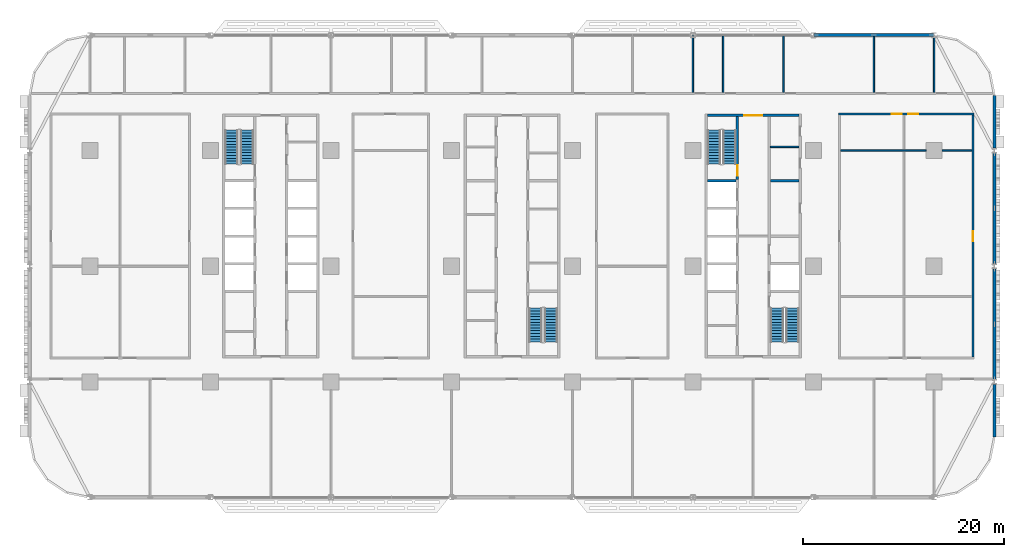
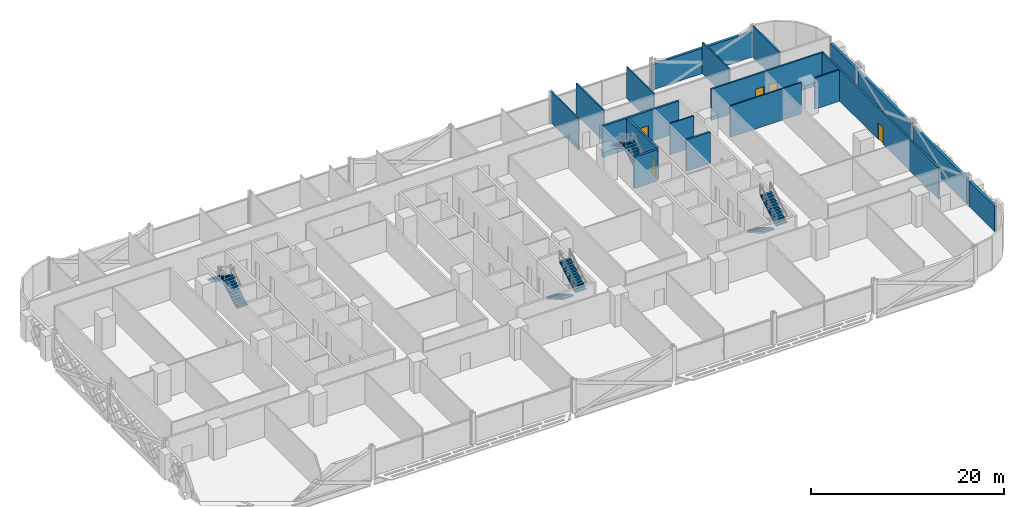
# One storey, part 15 of 28: 19 walls, 8 stair flights, 5 doors, 5 openings, 4 elements without a shape of their own.
"""IFC4 building model written with IfcOpenShell, lengths in metres."""

from ifc_helpers import new_model, si_unit, direction, frame, frame_2d, origin, place, context, subcontext, project, spatial, polyline, rectangle, outline, extrude, material, layer, layer_set, type_object, element, fill, aggregate, save


model = new_model("IFC4")

# Units and contexts
model_context = context("Model", 3, precision=1e-05, world=origin(), true_north=direction((0.0, 1.0)))
body_context = subcontext(model_context, "Body", "Model", "MODEL_VIEW")
ifc_project = project(units=[si_unit("LENGTHUNIT", "METRE"), si_unit("AREAUNIT", "SQUARE_METRE"), si_unit("VOLUMEUNIT", "CUBIC_METRE"), si_unit("PLANEANGLEUNIT", "RADIAN"), si_unit("MASSUNIT", "GRAM", prefix="KILO")], contexts=[model_context])

# Site, building, storey
site_placement = place(None, origin())
site = spatial("IfcSite", under=ifc_project, at=site_placement, CompositionType="ELEMENT")
building_placement = place(site_placement, origin())
building = spatial("IfcBuilding", under=site, at=building_placement, Name="Mahtab Terrace Research Tower", CompositionType="ELEMENT")
storey_placement = place(building_placement, frame((0.0, 0.0, 33.0)))
storey = spatial("IfcBuildingStorey", under=building, at=storey_placement, Name="L07", CompositionType="ELEMENT", Elevation=33.0)

# Wall
ifc_material_1 = material(Name="Gypsum board partition")
ifc_layer_1 = layer(ifc_material_1, 0.14990234375)
ifc_layer_set_1 = layer_set([ifc_layer_1], Name="Core partition 150")
wall_type_1 = type_object("IfcWallType", Name="Core partition 150", PredefinedType="PARTITIONING", material=ifc_layer_set_1)
wall_1_placement = place(storey_placement, frame((25.699951171875, 11.875, 0.0), z_axis=(0.0, 0.0, 1.0), x_axis=(1.0, 0.0, 0.0)))
element("IfcWall", 1, at=wall_1_placement, inside=storey, type_object=wall_type_1, Name="Core wall C pEN888", PredefinedType="PARTITIONING", context=body_context, shape_type="SweptSolid", body=[
    extrude(rectangle(XDim=2.85009765625, YDim=0.14990234375, at=frame_2d((1.425048828125, 0.0))), origin(), (0.0, 0.0, 1.0), 3.9599609375),
])

# Wall, opening, door
ifc_material_2 = material(Name="Concrete C70/85", Category="concrete")
ifc_layer_2 = layer(ifc_material_2, 0.25)
ifc_layer_set_2 = layer_set([ifc_layer_2], Name="Core wall 250")
wall_type_2 = type_object("IfcWallType", Name="Core wall 250", PredefinedType="SOLIDWALL", material=ifc_layer_set_2)
wall_2_placement = place(storey_placement, frame((19.449951171875, 15.0, 0.0), z_axis=(0.0, 0.0, 1.0), x_axis=(1.0, 0.0, 0.0)))
wall_2 = element("IfcWall", 2, at=wall_2_placement, inside=storey, type_object=wall_type_2, Name="Core wall C endN", PredefinedType="SOLIDWALL", context=body_context, shape_type="SweptSolid", body=[
    extrude(rectangle(XDim=9.10009765625, YDim=0.25, at=frame_2d((4.550048828125, 0.0))), origin(), (0.0, 0.0, 1.0), 3.9599609375),
])
opening_1_placement = place(wall_2_placement, frame((3.64990234375, 0.0, 0.0)))
opening_1 = element("IfcOpeningElement", 3, at=opening_1_placement, cuts=wall_2, Name="Opening C-N1", PredefinedType="OPENING", context=body_context, shape_type="SweptSolid", body=[
    extrude(rectangle(XDim=1.800048828125, YDim=2.10009765625, at=frame_2d((0.89990234375, 1.050048828125))), frame((0.0, 0.135009765625, 0.0), z_axis=(0.0, -1.0, 0.0), x_axis=(1.0, 0.0, 0.0)), (0.0, 0.0, 1.0), 0.27001953125),
])
ifc_material_3 = material(Name="Steel fire door", Category="steel")
door_type_1 = type_object("IfcDoorType", Name="Lobby double door 1800x2100 1 HR", OperationType="DOUBLE_DOOR_SINGLE_SWING", PredefinedType="DOOR", material=ifc_material_3)
door_1_placement = place(opening_1_placement, origin())
door_1 = element("IfcDoor", 4, at=door_1_placement, inside=storey, type_object=door_type_1, Name="Core entrance door C N", OperationType="DOUBLE_DOOR_SINGLE_SWING", OverallHeight=2.10009765625, OverallWidth=1.800048828125, PredefinedType="DOOR", context=body_context, shape_type="SweptSolid", body=[
    extrude(rectangle(XDim=1.800048828125, YDim=2.10009765625, at=frame_2d((0.89990234375, 1.050048828125))), frame((0.0, 0.02490234375, 0.0), z_axis=(0.0, -1.0, 0.0), x_axis=(1.0, 0.0, 0.0)), (0.0, 0.0, 1.0), 0.050048828125),
])
fill(opening_1, door_1)

wall_3_placement = place(storey_placement, frame((22.425048828125, 14.875, 0.0), z_axis=(0.0, 0.0, 1.0), x_axis=(0.0, -1.0, 0.0)))
wall_3 = element("IfcWall", 5, at=wall_3_placement, inside=storey, type_object=wall_type_2, Name="Core wall C innerWN", PredefinedType="SOLIDWALL", context=body_context, shape_type="SweptSolid", body=[
    extrude(rectangle(XDim=6.25, YDim=0.25, at=frame_2d((3.125, 0.0))), origin(), (0.0, 0.0, 1.0), 3.9599609375),
])
opening_2_placement = place(wall_3_placement, frame((4.85009765625, 0.0, 0.0)))
opening_2 = element("IfcOpeningElement", 6, at=opening_2_placement, cuts=wall_3, Name="Opening C-ST3", PredefinedType="OPENING", context=body_context, shape_type="SweptSolid", body=[
    extrude(rectangle(XDim=1.0, YDim=2.10009765625, at=frame_2d((0.5, 1.050048828125))), frame((0.0, 0.135009765625, 0.0), z_axis=(0.0, -1.0, 0.0), x_axis=(1.0, 0.0, 0.0)), (0.0, 0.0, 1.0), 0.27001953125),
])
door_type_2 = type_object("IfcDoorType", Name="Stair door 1000x2100 1.5 HR", OperationType="NOTDEFINED", PredefinedType="DOOR", material=ifc_material_3)
door_2_placement = place(opening_2_placement, origin())
door_2 = element("IfcDoor", 7, at=door_2_placement, inside=storey, type_object=door_type_2, Name="Stair door ST3 L07", OperationType="SINGLE_SWING_LEFT", OverallHeight=2.10009765625, OverallWidth=1.0, PredefinedType="DOOR", context=body_context, shape_type="SweptSolid", body=[
    extrude(rectangle(XDim=1.0, YDim=2.10009765625, at=frame_2d((0.5, 1.050048828125))), frame((0.0, 0.02490234375, 0.0), z_axis=(0.0, -1.0, 0.0), x_axis=(1.0, 0.0, 0.0)), (0.0, 0.0, 1.0), 0.050048828125),
])
fill(opening_2, door_2)

# Walls
for number, where, z_axis, x_axis, name in (
    (8, (19.449951171875, 8.5, 0.0), (0.0, 0.0, 1.0), (1.0, 0.0, 0.0), "Core wall C divW4"),
    (9, (25.699951171875, 8.5, 0.0), (0.0, 0.0, 1.0), (1.0, 0.0, 0.0), "Core wall C divE4"),
):
    element("IfcWall", number, at=place(storey_placement, frame(where, z_axis=z_axis, x_axis=x_axis)), inside=storey, type_object=wall_type_2, Name=name, PredefinedType="SOLIDWALL", context=body_context, shape_type="SweptSolid", body=[
        extrude(rectangle(XDim=2.85009765625, YDim=0.25, at=frame_2d((1.425048828125, 0.0))), origin(), (0.0, 0.0, 1.0), 3.9599609375),
    ])
ifc_material_4 = material(Name="Black aluminium cladding panel", Category="aluminium")
ifc_layer_3 = layer(ifc_material_4, 0.300048828125)
ifc_layer_set_3 = layer_set([ifc_layer_3], Name="Opaque facade wall 300")
wall_type_3 = type_object("IfcWallType", Name="Opaque facade wall 300", PredefinedType="NOTDEFINED", material=ifc_layer_set_3)
wall_4_placement = place(storey_placement, frame((41.97216796875, 23.0, 0.0), z_axis=(0.0, 0.0, 1.0), x_axis=(-1.0, 0.0, 0.0)))
element("IfcWall", 10, at=wall_4_placement, inside=storey, type_object=wall_type_3, Name="Opaque facade wall L07 N3", PredefinedType="NOTDEFINED", context=body_context, shape_type="SweptSolid", body=[
    extrude(rectangle(XDim=11.9443359375, YDim=0.300048828125, at=frame_2d((5.97216796875, 0.0))), origin(), (0.0, 0.0, 1.0), 3.203125),
])
wall_5_placement = place(storey_placement, frame((48.0, -17.0, 0.0), z_axis=(0.0, 0.0, 1.0), x_axis=(0.0, 1.0, 0.0)))
element("IfcWall", 11, at=wall_5_placement, inside=storey, type_object=wall_type_3, Name="Opaque facade wall L07 E33", PredefinedType="NOTDEFINED", context=body_context, shape_type="SweptSolid", body=[
    extrude(rectangle(XDim=5.2509765625, YDim=0.300048828125, at=frame_2d((2.62548828125, 0.0))), origin(), (0.0, 0.0, 1.0), 3.203125),
])
for number, where, z_axis, x_axis, name in (
    (12, (48.0, -11.2509765625, 0.0), (0.0, 0.0, 1.0), (0.0, 1.0, 0.0), "Opaque facade wall L07 E34"),
    (13, (48.0, 0.2490234375, 0.0), (0.0, 0.0, 1.0), (0.0, 1.0, 0.0), "Opaque facade wall L07 E35"),
):
    element("IfcWall", number, at=place(storey_placement, frame(where, z_axis=z_axis, x_axis=x_axis)), inside=storey, type_object=wall_type_3, Name=name, PredefinedType="NOTDEFINED", context=body_context, shape_type="SweptSolid", body=[
        extrude(rectangle(XDim=11.001953125, YDim=0.300048828125, at=frame_2d((5.5009765625, 0.0))), origin(), (0.0, 0.0, 1.0), 3.203125),
    ])
wall_6_placement = place(storey_placement, frame((48.0, 11.7490234375, 0.0), z_axis=(0.0, 0.0, 1.0), x_axis=(0.0, 1.0, 0.0)))
element("IfcWall", 14, at=wall_6_placement, inside=storey, type_object=wall_type_3, Name="Opaque facade wall L07 E36", PredefinedType="NOTDEFINED", context=body_context, shape_type="SweptSolid", body=[
    extrude(rectangle(XDim=5.2509765625, YDim=0.300048828125, at=frame_2d((2.62548828125, 0.0))), origin(), (0.0, 0.0, 1.0), 3.203125),
])

# Wall, openings, doors
ifc_material_5 = material(Name="Gypsum board corridor wall on steel studs", Category="steel")
ifc_layer_4 = layer(ifc_material_5, 0.199951171875)
ifc_layer_set_4 = layer_set([ifc_layer_4], Name="WALL CORRIDOR 200")
wall_type_4 = type_object("IfcWallType", Name="WALL CORRIDOR 200", PredefinedType="PARTITIONING", material=ifc_layer_set_4)
wall_7_placement = place(storey_placement, frame((32.5, 15.125, 0.0), z_axis=(0.0, 0.0, 1.0), x_axis=(1.0, 0.0, 0.0)))
wall_7 = element("IfcWall", 15, at=wall_7_placement, inside=storey, type_object=wall_type_4, Name="L07-W025", PredefinedType="PARTITIONING", context=body_context, shape_type="SweptSolid", body=[
    extrude(rectangle(XDim=13.449951171875, YDim=0.199951171875, at=frame_2d((6.72509765625, 0.0))), origin(), (0.0, 0.0, 1.0), 3.9599609375),
])
opening_3_placement = place(wall_7_placement, frame((5.300048828125, 0.0, 0.0)))
opening_3 = element("IfcOpeningElement", 16, at=opening_3_placement, cuts=wall_7, Name="Opening L07-124", PredefinedType="OPENING", context=body_context, shape_type="SweptSolid", body=[
    extrude(rectangle(XDim=1.0, YDim=2.10009765625, at=frame_2d((0.5, 1.050048828125))), frame((0.0, 0.10986328125, 0.0), z_axis=(0.0, -1.0, 0.0), x_axis=(1.0, 0.0, 0.0)), (0.0, 0.0, 1.0), 0.219970703125),
])
opening_4_placement = place(wall_7_placement, frame((6.89990234375, 0.0, 0.0)))
opening_4 = element("IfcOpeningElement", 17, at=opening_4_placement, cuts=wall_7, Name="Opening L07-125", PredefinedType="OPENING", context=body_context, shape_type="SweptSolid", body=[
    extrude(rectangle(XDim=1.0, YDim=2.10009765625, at=frame_2d((0.5, 1.050048828125))), frame((0.0, 0.10986328125, 0.0), z_axis=(0.0, -1.0, 0.0), x_axis=(1.0, 0.0, 0.0)), (0.0, 0.0, 1.0), 0.219970703125),
])
ifc_material_6 = material(Name="Timber door leaf in steel frame", Category="steel")
door_type_3 = type_object("IfcDoorType", Name="DOOR 1000X2100 FD30S", OperationType="SINGLE_SWING_LEFT", PredefinedType="DOOR", material=ifc_material_6)
door_3_placement = place(opening_3_placement, origin())
door_3 = element("IfcDoor", 18, at=door_3_placement, inside=storey, type_object=door_type_3, Name="Door L07-124", OperationType="SINGLE_SWING_RIGHT", OverallHeight=2.10009765625, OverallWidth=1.0, PredefinedType="DOOR", context=body_context, shape_type="SweptSolid", body=[
    extrude(rectangle(XDim=1.0, YDim=2.10009765625, at=frame_2d((0.5, 1.050048828125))), frame((0.0, 0.02490234375, 0.0), z_axis=(0.0, -1.0, 0.0), x_axis=(1.0, 0.0, 0.0)), (0.0, 0.0, 1.0), 0.050048828125),
])
fill(opening_3, door_3)
door_4_placement = place(opening_4_placement, origin())
door_4 = element("IfcDoor", 19, at=door_4_placement, inside=storey, type_object=door_type_3, Name="Door L07-125", OperationType="SINGLE_SWING_LEFT", OverallHeight=2.10009765625, OverallWidth=1.0, PredefinedType="DOOR", context=body_context, shape_type="SweptSolid", body=[
    extrude(rectangle(XDim=1.0, YDim=2.10009765625, at=frame_2d((0.5, 1.050048828125))), frame((0.0, 0.02490234375, 0.0), z_axis=(0.0, -1.0, 0.0), x_axis=(1.0, 0.0, 0.0)), (0.0, 0.0, 1.0), 0.050048828125),
])
fill(opening_4, door_4)

# Wall, opening, door
wall_8_placement = place(storey_placement, frame((45.85009765625, -9.02490234375, 0.0), z_axis=(0.0, 0.0, 1.0), x_axis=(0.0, 1.0, 0.0)))
wall_8 = element("IfcWall", 20, at=wall_8_placement, inside=storey, type_object=wall_type_4, Name="L07-W060", PredefinedType="PARTITIONING", context=body_context, shape_type="SweptSolid", body=[
    extrude(rectangle(XDim=24.0498046875, YDim=0.199951171875, at=frame_2d((12.02490234375, 0.0))), origin(), (0.0, 0.0, 1.0), 3.9599609375),
])
opening_5_placement = place(wall_8_placement, frame((11.5, 0.0, 0.0)))
opening_5 = element("IfcOpeningElement", 21, at=opening_5_placement, cuts=wall_8, Name="Opening L07-119", PredefinedType="OPENING", context=body_context, shape_type="SweptSolid", body=[
    extrude(rectangle(XDim=1.0, YDim=2.10009765625, at=frame_2d((0.5, 1.050048828125))), frame((0.0, 0.10986328125, 0.0), z_axis=(0.0, -1.0, 0.0), x_axis=(1.0, 0.0, 0.0)), (0.0, 0.0, 1.0), 0.219970703125),
])
door_5_placement = place(opening_5_placement, origin())
door_5 = element("IfcDoor", 22, at=door_5_placement, inside=storey, type_object=door_type_3, Name="Door L07-119", OperationType="SINGLE_SWING_LEFT", OverallHeight=2.10009765625, OverallWidth=1.0, PredefinedType="DOOR", context=body_context, shape_type="SweptSolid", body=[
    extrude(rectangle(XDim=1.0, YDim=2.10009765625, at=frame_2d((0.5, 1.050048828125))), frame((0.0, 0.02490234375, 0.0), z_axis=(0.0, -1.0, 0.0), x_axis=(1.0, 0.0, 0.0)), (0.0, 0.0, 1.0), 0.050048828125),
])
fill(opening_5, door_5)

# Walls
ifc_material_7 = material(Name="Gypsum board partition on steel studs", Category="steel")
ifc_layer_5 = layer(ifc_material_7, 0.14990234375)
ifc_layer_set_5 = layer_set([ifc_layer_5], Name="WALL PARTITION 150")
wall_type_5 = type_object("IfcWallType", Name="WALL PARTITION 150", PredefinedType="PARTITIONING", material=ifc_layer_set_5)
wall_9_placement = place(storey_placement, frame((32.699951171875, 11.5, 0.0), z_axis=(0.0, 0.0, 1.0), x_axis=(1.0, 0.0, 0.0)))
element("IfcWall", 23, at=wall_9_placement, inside=storey, type_object=wall_type_5, Name="L07-W020", PredefinedType="PARTITIONING", context=body_context, shape_type="SweptSolid", body=[
    extrude(rectangle(XDim=8.5, YDim=0.14990234375, at=frame_2d((4.25, 0.0))), origin(), (0.0, 0.0, 1.0), 3.9599609375),
])
wall_10_placement = place(storey_placement, frame((42.800048828125, 11.5, 0.0), z_axis=(0.0, 0.0, 1.0), x_axis=(1.0, 0.0, 0.0)))
element("IfcWall", 24, at=wall_10_placement, inside=storey, type_object=wall_type_5, Name="L07-W021", PredefinedType="PARTITIONING", context=body_context, shape_type="SweptSolid", body=[
    extrude(rectangle(XDim=2.949951171875, YDim=0.14990234375, at=frame_2d((1.47509765625, 0.0))), origin(), (0.0, 0.0, 1.0), 3.9599609375),
])
for number, where, z_axis, x_axis, name in (
    (25, (18.0, 17.300048828125, 0.0), (0.0, 0.0, 1.0), (0.0, 1.0, 0.0), "L07-W050"),
    (26, (21.0, 17.300048828125, 0.0), (0.0, 0.0, 1.0), (0.0, 1.0, 0.0), "L07-W051"),
    (27, (27.0, 17.300048828125, 0.0), (0.0, 0.0, 1.0), (0.0, 1.0, 0.0), "L07-W053"),
):
    element("IfcWall", number, at=place(storey_placement, frame(where, z_axis=z_axis, x_axis=x_axis)), inside=storey, type_object=wall_type_5, Name=name, PredefinedType="PARTITIONING", context=body_context, shape_type="SweptSolid", body=[
        extrude(rectangle(XDim=5.675048828125, YDim=0.14990234375, at=frame_2d((2.83740234375, 0.0))), origin(), (0.0, 0.0, 1.0), 3.9599609375),
    ])
wall_11_placement = place(storey_placement, frame((36.0, 17.300048828125, 0.0), z_axis=(0.0, 0.0, 1.0), x_axis=(0.0, 1.0, 0.0)))
element("IfcWall", 28, at=wall_11_placement, inside=storey, type_object=wall_type_5, Name="L07-W056", PredefinedType="PARTITIONING", context=body_context, shape_type="SweptSolid", body=[
    extrude(rectangle(XDim=5.550048828125, YDim=0.14990234375, at=frame_2d((2.77490234375, 0.0))), origin(), (0.0, 0.0, 1.0), 3.9599609375),
])
wall_12_placement = place(storey_placement, frame((42.0, 17.300048828125, 0.0), z_axis=(0.0, 0.0, 1.0), x_axis=(0.0, 1.0, 0.0)))
element("IfcWall", 29, at=wall_12_placement, inside=storey, type_object=wall_type_5, Name="L07-W059", PredefinedType="PARTITIONING", context=body_context, shape_type="SweptSolid", body=[
    extrude(rectangle(XDim=5.547119140625, YDim=0.14990234375, at=frame_2d((2.7734375, 0.0))), origin(), (0.0, 0.0, 1.0), 3.9599609375),
])

# Stair, stair flights
ifc_material_8 = material(Name="Exit stair half-turn")
stair_type = type_object("IfcStairType", Name="Exit stair half-turn", PredefinedType="HALF_TURN_STAIR", material=ifc_material_8)
stair_1_placement = place(storey_placement, origin())
stair_1 = element("IfcStair", 30, at=stair_1_placement, inside=storey, type_object=stair_type, Name="L07 Protected exit stair ST1", PredefinedType="HALF_TURN_STAIR")
ifc_material_9 = material(Name="Concrete C40/50", Category="concrete")
stair_flight_type = type_object("IfcStairFlightType", Name="Exit stair flight 1300", PredefinedType="STRAIGHT", material=ifc_material_9)
stair_flight_1_placement = place(storey_placement, frame((-26.35009765625, 10.175048828125, 0.0), z_axis=(0.0, 0.0, 1.0), x_axis=(0.0, 1.0, 0.0)))
stair_flight_1 = element("IfcStairFlight", 31, at=stair_flight_1_placement, type_object=stair_flight_type, Name="ST1 flight 1", NumberOfRisers=13, NumberOfTreads=12, PredefinedType="STRAIGHT", RiserHeight=0.165384615, TreadLength=0.28, context=body_context, shape_type="SweptSolid", body=[
    extrude(outline(polyline([(0.0, 0.0), (0.0, 0.165283203125), (0.280029296875, 0.165283203125), (0.280029296875, 0.330810546875), (0.56005859375, 0.330810546875), (0.56005859375, 0.49609375), (0.840087890625, 0.49609375), (0.840087890625, 0.66162109375), (1.1201171875, 0.66162109375), (1.1201171875, 0.826904296875), (1.39990234375, 0.826904296875), (1.39990234375, 0.9921875), (1.679931640625, 0.9921875), (1.679931640625, 1.15771484375), (1.9599609375, 1.15771484375), (1.9599609375, 1.322998046875), (2.239990234375, 1.322998046875), (2.239990234375, 1.488525390625), (2.52001953125, 1.488525390625), (2.52001953125, 1.65380859375), (2.800048828125, 1.65380859375), (2.800048828125, 1.8193359375), (3.080078125, 1.8193359375), (3.080078125, 1.984619140625), (3.360107421875, 1.984619140625), (3.360107421875, 2.14990234375), (3.360107421875, 1.810546875), (0.294677734375, 0.0), (0.0, 0.0)])), frame((0.0, 0.64990234375, 0.0), z_axis=(0.0, -1.0, 0.0), x_axis=(1.0, 0.0, 0.0)), (0.0, 0.0, 1.0), 1.300048828125),
])
stair_flight_2_placement = place(storey_placement, frame((-27.89990234375, 13.534912109375, 2.14990234375), z_axis=(0.0, 0.0, 1.0), x_axis=(0.0, -1.0, 0.0)))
stair_flight_2 = element("IfcStairFlight", 32, at=stair_flight_2_placement, type_object=stair_flight_type, Name="ST1 flight 2", NumberOfRisers=13, NumberOfTreads=12, PredefinedType="STRAIGHT", RiserHeight=0.165384615, TreadLength=0.28, context=body_context, shape_type="SweptSolid", body=[
    extrude(outline(polyline([(0.0, 0.0), (0.0, 0.165283203125), (0.280029296875, 0.165283203125), (0.280029296875, 0.330810546875), (0.56005859375, 0.330810546875), (0.56005859375, 0.49609375), (0.840087890625, 0.49609375), (0.840087890625, 0.66162109375), (1.1201171875, 0.66162109375), (1.1201171875, 0.826904296875), (1.39990234375, 0.826904296875), (1.39990234375, 0.9921875), (1.679931640625, 0.9921875), (1.679931640625, 1.15771484375), (1.9599609375, 1.15771484375), (1.9599609375, 1.322998046875), (2.239990234375, 1.322998046875), (2.239990234375, 1.488525390625), (2.52001953125, 1.488525390625), (2.52001953125, 1.65380859375), (2.800048828125, 1.65380859375), (2.800048828125, 1.8193359375), (3.080078125, 1.8193359375), (3.080078125, 1.984619140625), (3.360107421875, 1.984619140625), (3.360107421875, 2.14990234375), (3.360107421875, 1.810546875), (0.294677734375, 0.0), (0.0, 0.0)])), frame((0.0, 0.64990234375, 0.0), z_axis=(0.0, -1.0, 0.0), x_axis=(1.0, 0.0, 0.0)), (0.0, 0.0, 1.0), 1.300048828125),
])
aggregate(stair_1, [stair_flight_1, stair_flight_2])

stair_2_placement = place(storey_placement, origin())
stair_2 = element("IfcStair", 33, at=stair_2_placement, inside=storey, type_object=stair_type, Name="L07 Protected exit stair ST2", PredefinedType="HALF_TURN_STAIR")
stair_flight_3_placement = place(storey_placement, frame((2.35009765625, -4.175048828125, 0.0), z_axis=(0.0, 0.0, 1.0), x_axis=(0.0, -1.0, 0.0)))
stair_flight_3 = element("IfcStairFlight", 34, at=stair_flight_3_placement, type_object=stair_flight_type, Name="ST2 flight 1", NumberOfRisers=13, NumberOfTreads=12, PredefinedType="STRAIGHT", RiserHeight=0.165384615, TreadLength=0.28, context=body_context, shape_type="SweptSolid", body=[
    extrude(outline(polyline([(0.0, 0.0), (0.0, 0.165283203125), (0.280029296875, 0.165283203125), (0.280029296875, 0.330810546875), (0.56005859375, 0.330810546875), (0.56005859375, 0.49609375), (0.840087890625, 0.49609375), (0.840087890625, 0.66162109375), (1.1201171875, 0.66162109375), (1.1201171875, 0.826904296875), (1.39990234375, 0.826904296875), (1.39990234375, 0.9921875), (1.679931640625, 0.9921875), (1.679931640625, 1.15771484375), (1.9599609375, 1.15771484375), (1.9599609375, 1.322998046875), (2.239990234375, 1.322998046875), (2.239990234375, 1.488525390625), (2.52001953125, 1.488525390625), (2.52001953125, 1.65380859375), (2.800048828125, 1.65380859375), (2.800048828125, 1.8193359375), (3.080078125, 1.8193359375), (3.080078125, 1.984619140625), (3.360107421875, 1.984619140625), (3.360107421875, 2.14990234375), (3.360107421875, 1.810546875), (0.294677734375, 0.0), (0.0, 0.0)])), frame((0.0, 0.64990234375, 0.0), z_axis=(0.0, -1.0, 0.0), x_axis=(1.0, 0.0, 0.0)), (0.0, 0.0, 1.0), 1.300048828125),
])
stair_flight_4_placement = place(storey_placement, frame((3.89990234375, -7.534912109375, 2.14990234375), z_axis=(0.0, 0.0, 1.0), x_axis=(0.0, 1.0, 0.0)))
stair_flight_4 = element("IfcStairFlight", 35, at=stair_flight_4_placement, type_object=stair_flight_type, Name="ST2 flight 2", NumberOfRisers=13, NumberOfTreads=12, PredefinedType="STRAIGHT", RiserHeight=0.165384615, TreadLength=0.28, context=body_context, shape_type="SweptSolid", body=[
    extrude(outline(polyline([(0.0, 0.0), (0.0, 0.165283203125), (0.280029296875, 0.165283203125), (0.280029296875, 0.330810546875), (0.56005859375, 0.330810546875), (0.56005859375, 0.49609375), (0.840087890625, 0.49609375), (0.840087890625, 0.66162109375), (1.1201171875, 0.66162109375), (1.1201171875, 0.826904296875), (1.39990234375, 0.826904296875), (1.39990234375, 0.9921875), (1.679931640625, 0.9921875), (1.679931640625, 1.15771484375), (1.9599609375, 1.15771484375), (1.9599609375, 1.322998046875), (2.239990234375, 1.322998046875), (2.239990234375, 1.488525390625), (2.52001953125, 1.488525390625), (2.52001953125, 1.65380859375), (2.800048828125, 1.65380859375), (2.800048828125, 1.8193359375), (3.080078125, 1.8193359375), (3.080078125, 1.984619140625), (3.360107421875, 1.984619140625), (3.360107421875, 2.14990234375), (3.360107421875, 1.810546875), (0.294677734375, 0.0), (0.0, 0.0)])), frame((0.0, 0.64990234375, 0.0), z_axis=(0.0, -1.0, 0.0), x_axis=(1.0, 0.0, 0.0)), (0.0, 0.0, 1.0), 1.300048828125),
])
aggregate(stair_2, [stair_flight_3, stair_flight_4])

stair_3_placement = place(storey_placement, origin())
stair_3 = element("IfcStair", 36, at=stair_3_placement, inside=storey, type_object=stair_type, Name="L07 Protected exit stair ST3", PredefinedType="HALF_TURN_STAIR")
stair_flight_5_placement = place(storey_placement, frame((21.64990234375, 10.175048828125, 0.0), z_axis=(0.0, 0.0, 1.0), x_axis=(0.0, 1.0, 0.0)))
stair_flight_5 = element("IfcStairFlight", 37, at=stair_flight_5_placement, type_object=stair_flight_type, Name="ST3 flight 1", NumberOfRisers=13, NumberOfTreads=12, PredefinedType="STRAIGHT", RiserHeight=0.165384615, TreadLength=0.28, context=body_context, shape_type="SweptSolid", body=[
    extrude(outline(polyline([(0.0, 0.0), (0.0, 0.165283203125), (0.280029296875, 0.165283203125), (0.280029296875, 0.330810546875), (0.56005859375, 0.330810546875), (0.56005859375, 0.49609375), (0.840087890625, 0.49609375), (0.840087890625, 0.66162109375), (1.1201171875, 0.66162109375), (1.1201171875, 0.826904296875), (1.39990234375, 0.826904296875), (1.39990234375, 0.9921875), (1.679931640625, 0.9921875), (1.679931640625, 1.15771484375), (1.9599609375, 1.15771484375), (1.9599609375, 1.322998046875), (2.239990234375, 1.322998046875), (2.239990234375, 1.488525390625), (2.52001953125, 1.488525390625), (2.52001953125, 1.65380859375), (2.800048828125, 1.65380859375), (2.800048828125, 1.8193359375), (3.080078125, 1.8193359375), (3.080078125, 1.984619140625), (3.360107421875, 1.984619140625), (3.360107421875, 2.14990234375), (3.360107421875, 1.810546875), (0.294677734375, 0.0), (0.0, 0.0)])), frame((0.0, 0.64990234375, 0.0), z_axis=(0.0, -1.0, 0.0), x_axis=(1.0, 0.0, 0.0)), (0.0, 0.0, 1.0), 1.300048828125),
])
stair_flight_6_placement = place(storey_placement, frame((20.10009765625, 13.534912109375, 2.14990234375), z_axis=(0.0, 0.0, 1.0), x_axis=(0.0, -1.0, 0.0)))
stair_flight_6 = element("IfcStairFlight", 38, at=stair_flight_6_placement, type_object=stair_flight_type, Name="ST3 flight 2", NumberOfRisers=13, NumberOfTreads=12, PredefinedType="STRAIGHT", RiserHeight=0.165384615, TreadLength=0.28, context=body_context, shape_type="SweptSolid", body=[
    extrude(outline(polyline([(0.0, 0.0), (0.0, 0.165283203125), (0.280029296875, 0.165283203125), (0.280029296875, 0.330810546875), (0.56005859375, 0.330810546875), (0.56005859375, 0.49609375), (0.840087890625, 0.49609375), (0.840087890625, 0.66162109375), (1.1201171875, 0.66162109375), (1.1201171875, 0.826904296875), (1.39990234375, 0.826904296875), (1.39990234375, 0.9921875), (1.679931640625, 0.9921875), (1.679931640625, 1.15771484375), (1.9599609375, 1.15771484375), (1.9599609375, 1.322998046875), (2.239990234375, 1.322998046875), (2.239990234375, 1.488525390625), (2.52001953125, 1.488525390625), (2.52001953125, 1.65380859375), (2.800048828125, 1.65380859375), (2.800048828125, 1.8193359375), (3.080078125, 1.8193359375), (3.080078125, 1.984619140625), (3.360107421875, 1.984619140625), (3.360107421875, 2.14990234375), (3.360107421875, 1.810546875), (0.294677734375, 0.0), (0.0, 0.0)])), frame((0.0, 0.64990234375, 0.0), z_axis=(0.0, -1.0, 0.0), x_axis=(1.0, 0.0, 0.0)), (0.0, 0.0, 1.0), 1.300048828125),
])
aggregate(stair_3, [stair_flight_5, stair_flight_6])

stair_4_placement = place(storey_placement, origin())
stair_4 = element("IfcStair", 39, at=stair_4_placement, inside=storey, type_object=stair_type, Name="L07 Protected exit stair ST4", PredefinedType="HALF_TURN_STAIR")
stair_flight_7_placement = place(storey_placement, frame((26.35009765625, -4.175048828125, 0.0), z_axis=(0.0, 0.0, 1.0), x_axis=(0.0, -1.0, 0.0)))
stair_flight_7 = element("IfcStairFlight", 40, at=stair_flight_7_placement, type_object=stair_flight_type, Name="ST4 flight 1", NumberOfRisers=13, NumberOfTreads=12, PredefinedType="STRAIGHT", RiserHeight=0.165384615, TreadLength=0.28, context=body_context, shape_type="SweptSolid", body=[
    extrude(outline(polyline([(0.0, 0.0), (0.0, 0.165283203125), (0.280029296875, 0.165283203125), (0.280029296875, 0.330810546875), (0.56005859375, 0.330810546875), (0.56005859375, 0.49609375), (0.840087890625, 0.49609375), (0.840087890625, 0.66162109375), (1.1201171875, 0.66162109375), (1.1201171875, 0.826904296875), (1.39990234375, 0.826904296875), (1.39990234375, 0.9921875), (1.679931640625, 0.9921875), (1.679931640625, 1.15771484375), (1.9599609375, 1.15771484375), (1.9599609375, 1.322998046875), (2.239990234375, 1.322998046875), (2.239990234375, 1.488525390625), (2.52001953125, 1.488525390625), (2.52001953125, 1.65380859375), (2.800048828125, 1.65380859375), (2.800048828125, 1.8193359375), (3.080078125, 1.8193359375), (3.080078125, 1.984619140625), (3.360107421875, 1.984619140625), (3.360107421875, 2.14990234375), (3.360107421875, 1.810546875), (0.294677734375, 0.0), (0.0, 0.0)])), frame((0.0, 0.64990234375, 0.0), z_axis=(0.0, -1.0, 0.0), x_axis=(1.0, 0.0, 0.0)), (0.0, 0.0, 1.0), 1.300048828125),
])
stair_flight_8_placement = place(storey_placement, frame((27.89990234375, -7.534912109375, 2.14990234375), z_axis=(0.0, 0.0, 1.0), x_axis=(0.0, 1.0, 0.0)))
stair_flight_8 = element("IfcStairFlight", 41, at=stair_flight_8_placement, type_object=stair_flight_type, Name="ST4 flight 2", NumberOfRisers=13, NumberOfTreads=12, PredefinedType="STRAIGHT", RiserHeight=0.165384615, TreadLength=0.28, context=body_context, shape_type="SweptSolid", body=[
    extrude(outline(polyline([(0.0, 0.0), (0.0, 0.165283203125), (0.280029296875, 0.165283203125), (0.280029296875, 0.330810546875), (0.56005859375, 0.330810546875), (0.56005859375, 0.49609375), (0.840087890625, 0.49609375), (0.840087890625, 0.66162109375), (1.1201171875, 0.66162109375), (1.1201171875, 0.826904296875), (1.39990234375, 0.826904296875), (1.39990234375, 0.9921875), (1.679931640625, 0.9921875), (1.679931640625, 1.15771484375), (1.9599609375, 1.15771484375), (1.9599609375, 1.322998046875), (2.239990234375, 1.322998046875), (2.239990234375, 1.488525390625), (2.52001953125, 1.488525390625), (2.52001953125, 1.65380859375), (2.800048828125, 1.65380859375), (2.800048828125, 1.8193359375), (3.080078125, 1.8193359375), (3.080078125, 1.984619140625), (3.360107421875, 1.984619140625), (3.360107421875, 2.14990234375), (3.360107421875, 1.810546875), (0.294677734375, 0.0), (0.0, 0.0)])), frame((0.0, 0.64990234375, 0.0), z_axis=(0.0, -1.0, 0.0), x_axis=(1.0, 0.0, 0.0)), (0.0, 0.0, 1.0), 1.300048828125),
])
aggregate(stair_4, [stair_flight_7, stair_flight_8])

save(model, "model.ifc")
